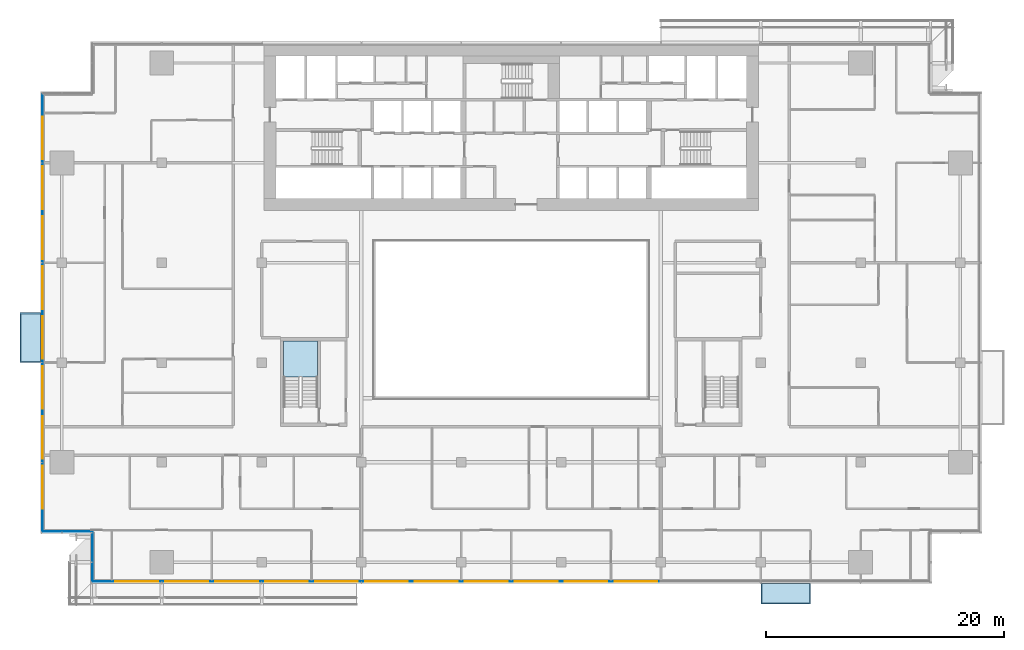
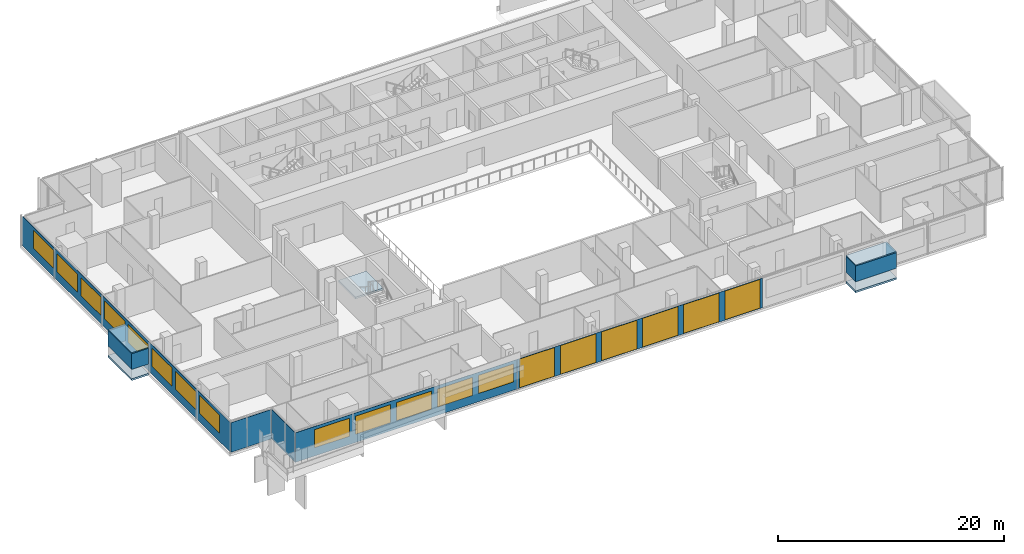
# One storey, part 14 of 29: 19 windows, 9 plates, 3 slabs, 19 openings, 5 elements without a shape of their own.
"""IFC4 building model written with IfcOpenShell, lengths in metres."""

import ifcopenshell
import ifcopenshell.guid

model = None  # the IFC model being written
_history = None  # IfcOwnerHistory: only IFC2X3 demands one
_inside = {}  # id of a spatial element -> (the spatial element, [elements in it])
_under = {}  # id of a project, library or spatial element -> (it, [spatial elements below it])
_declared = {}  # id of a project -> (the project, [libraries it declares])
_typed = {}  # id of a type object -> (the type object, [elements of that type])
_made_of = {}  # id of a material, layer set ... -> (it, [elements and type objects made of it])


def new_model(schema):
    """Start an empty IFC model of exactly this schema.

    Asked for "IFC4X3", IfcOpenShell would pick the latest addendum, in which some entities
    have other attributes; the version numbers below select the first issue.
    IFC2X3 requires an IfcOwnerHistory on every rooted entity: one is made here for all.
    """
    global model, _history
    if schema == "IFC4X3":
        model = ifcopenshell.file(schema_version=(4, 3, 0, 0))
    else:
        model = ifcopenshell.file(schema=schema)
    _inside.clear()
    _under.clear()
    _declared.clear()
    _typed.clear()
    _made_of.clear()
    _history = None
    if model.schema == "IFC2X3":
        org = make("IfcOrganization", Name="unknown")
        user = make(
            "IfcPersonAndOrganization",
            ThePerson=make("IfcPerson", FamilyName="unknown"),
            TheOrganization=org,
        )
        app = make(
            "IfcApplication",
            ApplicationDeveloper=org,
            Version="unknown",
            ApplicationFullName="unknown",
            ApplicationIdentifier="unknown",
        )
        _history = make(
            "IfcOwnerHistory",
            OwningUser=user,
            OwningApplication=app,
            ChangeAction="ADDED",
            CreationDate=0,
        )
    return model


def make(cls, **values):
    """One entity of the class cls with the attributes given. An attribute that is None is left unset."""
    return model.create_entity(
        cls, **{name: value for name, value in values.items() if value is not None}
    )


def rooted(cls, **values):
    """An entity with a GlobalId (a new one), such as an element, a storey or a relation."""
    return make(cls, GlobalId=ifcopenshell.guid.new(), OwnerHistory=_history, **values)


def si_unit(unit_type, name, prefix=None):
    """IfcSIUnit, for example si_unit("LENGTHUNIT", "METRE", prefix="MILLI")."""
    return make("IfcSIUnit", UnitType=unit_type, Prefix=prefix, Name=name)


def assignment(units):
    """IfcUnitAssignment: the units of a project."""
    return None if units is None else make("IfcUnitAssignment", Units=units)


def point(xyz):
    """IfcCartesianPoint."""
    return None if xyz is None else make("IfcCartesianPoint", Coordinates=xyz)


def direction(xyz):
    """IfcDirection."""
    return None if xyz is None else make("IfcDirection", DirectionRatios=xyz)


def frame(location, z_axis=None, x_axis=None):
    """IfcAxis2Placement3D, a coordinate frame: its origin and axes. An axis left out is left unset."""
    return make(
        "IfcAxis2Placement3D",
        Location=point(location),
        Axis=direction(z_axis),
        RefDirection=direction(x_axis),
    )


def frame_2d(location, x_axis=None):
    """IfcAxis2Placement2D, a coordinate frame in the plane: its origin and x axis."""
    return make(
        "IfcAxis2Placement2D", Location=point(location), RefDirection=direction(x_axis)
    )


def origin():
    """The frame at (0, 0, 0) with its axes left unset."""
    return frame((0.0, 0.0, 0.0))


def place(relative_to, where):
    """IfcLocalPlacement: puts the frame where relative to a parent placement (None: the world)."""
    return make(
        "IfcLocalPlacement", PlacementRelTo=relative_to, RelativePlacement=where
    )


def context(
    kind, dimensions, precision=None, world=None, true_north=None, identifier=None
):
    """IfcGeometricRepresentationContext, for example the 3D "Model" context."""
    return make(
        "IfcGeometricRepresentationContext",
        ContextIdentifier=identifier,
        ContextType=kind,
        CoordinateSpaceDimension=dimensions,
        Precision=precision,
        WorldCoordinateSystem=world,
        TrueNorth=true_north,
    )


def subcontext(parent, identifier, kind, view, scale=None):
    """IfcGeometricRepresentationSubContext, for example "Body" below "Model"."""
    return make(
        "IfcGeometricRepresentationSubContext",
        ContextIdentifier=identifier,
        ContextType=kind,
        ParentContext=parent,
        TargetScale=scale,
        TargetView=view,
    )


def project(units=None, contexts=None):
    """IfcProject with its units and contexts."""
    return rooted(
        "IfcProject",
        Name="project",
        RepresentationContexts=contexts,
        UnitsInContext=assignment(units),
    )


def spatial(cls, under=None, at=None, **own):
    """A site, building, storey or space (cls), placed at a placement, below another one or the project."""
    s = rooted(cls, ObjectPlacement=at, **own)
    if under is not None:
        _under.setdefault(under.id(), (under, []))[1].append(s)
    return s


def polyline(points):
    """IfcPolyline through the points."""
    return make("IfcPolyline", Points=[point(p) for p in points])


def profile(cls, at=None, kind="AREA", **sizes):
    """A parametric profile (cls). Its sizes go by their IFC names, for example OverallWidth=200.0."""
    return make(cls, ProfileType=kind, Position=at, **sizes)


def rectangle(**sizes):
    """IfcRectangleProfileDef."""
    return profile("IfcRectangleProfileDef", **sizes)


def outline(outer, holes=None, kind="AREA"):
    """IfcArbitraryClosedProfileDef: a profile drawn as a closed curve; with holes, ...WithVoids."""
    if holes is None:
        return make("IfcArbitraryClosedProfileDef", ProfileType=kind, OuterCurve=outer)
    return make(
        "IfcArbitraryProfileDefWithVoids",
        ProfileType=kind,
        OuterCurve=outer,
        InnerCurves=holes,
    )


def extrude(swept, where, along, depth):
    """IfcExtrudedAreaSolid: the profile swept, set in the frame where, extruded along a direction by depth."""
    return make(
        "IfcExtrudedAreaSolid",
        SweptArea=swept,
        Position=where,
        ExtrudedDirection=direction(along),
        Depth=depth,
    )


def shape(context_of_items, identifier, shape_type, items):
    """IfcShapeRepresentation: the items that make up one representation, for example the "Body"."""
    return make(
        "IfcShapeRepresentation",
        ContextOfItems=context_of_items,
        RepresentationIdentifier=identifier,
        RepresentationType=shape_type,
        Items=items,
    )


def material(Name=None, Category=None):
    """IfcMaterial."""
    return make("IfcMaterial", Name=Name, Category=Category)


def layer(
    of_material, thickness, ventilated=None, Name=None, Category=None, Priority=None
):
    """IfcMaterialLayer: one layer of a wall or slab, of a material (None: an air gap)."""
    return make(
        "IfcMaterialLayer",
        Material=of_material,
        LayerThickness=thickness,
        IsVentilated=ventilated,
        Name=Name,
        Category=Category,
        Priority=Priority,
    )


def layer_set(layers, Name=None):
    """IfcMaterialLayerSet."""
    return make("IfcMaterialLayerSet", MaterialLayers=layers, LayerSetName=Name)


def made_of(thing, what):
    """Note that an element or type object is made of a material, layer set ...; save() writes the relation."""
    if what is not None:
        _made_of.setdefault(what.id(), (what, []))[1].append(thing)
    return thing


def type_object(cls, material=None, **own):
    """A type object (cls), such as IfcWallType, which elements share."""
    return made_of(rooted(cls, **own), material)


def element(
    cls,
    number,
    at=None,
    inside=None,
    cuts=None,
    type_object=None,
    material=None,
    context=None,
    identifier="Body",
    shape_type=None,
    held_by="IfcProductDefinitionShape",
    body=None,
    shapes=None,
    **own,
):
    """One element of the class cls, such as IfcWall. Its Tag is "e" and its number.

    at: its placement. inside: the storey or other place that contains it. cuts: it is an
    opening in that element (IfcRelVoidsElement). A single representation is given by context,
    identifier, shape_type and body (its items); several are given by shapes. held_by: the class
    of the entity that holds the representations. save() writes the other relations.
    """
    e = rooted(cls, Tag="e%d" % number, ObjectPlacement=at, **own)
    if body is not None:
        shapes = [shape(context, identifier, shape_type, body)]
    if shapes is not None:
        e.Representation = make(held_by, Representations=shapes)
    if inside is not None:
        _inside.setdefault(inside.id(), (inside, []))[1].append(e)
    if cuts is not None:
        rooted(
            "IfcRelVoidsElement", RelatingBuildingElement=cuts, RelatedOpeningElement=e
        )
    if type_object is not None:
        _typed.setdefault(type_object.id(), (type_object, []))[1].append(e)
    return made_of(e, material)


def fill(opening, filler):
    """IfcRelFillsElement: the door or window that sits in an opening."""
    return rooted(
        "IfcRelFillsElement",
        RelatingOpeningElement=opening,
        RelatedBuildingElement=filler,
    )


def aggregate(whole, parts):
    """IfcRelAggregates: a whole, such as a stair, and the parts it consists of."""
    return rooted("IfcRelAggregates", RelatingObject=whole, RelatedObjects=parts)


def save(model, path):
    """Write the relations noted so far, then the file.

    IfcRelAggregates (storeys below a building ...), IfcRelContainedInSpatialStructure (elements
    in a storey), IfcRelDefinesByType, IfcRelAssociatesMaterial and IfcRelDeclares: one each for
    every whole, place, type object, material and project.
    """
    for whole, parts in _under.values():
        aggregate(whole, parts)
    for where, things in _inside.values():
        rooted(
            "IfcRelContainedInSpatialStructure",
            RelatedElements=things,
            RelatingStructure=where,
        )
    for kind, things in _typed.values():
        rooted("IfcRelDefinesByType", RelatedObjects=things, RelatingType=kind)
    for what, things in _made_of.values():
        rooted("IfcRelAssociatesMaterial", RelatedObjects=things, RelatingMaterial=what)
    for by, libraries in _declared.values():
        rooted("IfcRelDeclares", RelatingContext=by, RelatedDefinitions=libraries)
    model.write(path)


model = new_model("IFC4")

# Units and contexts
model_context = context("Model", 3, precision=1e-05, world=origin(), true_north=direction((0.0, 1.0)))
body_context = subcontext(model_context, "Body", "Model", "MODEL_VIEW")
ifc_project = project(units=[si_unit("LENGTHUNIT", "METRE"), si_unit("AREAUNIT", "SQUARE_METRE"), si_unit("VOLUMEUNIT", "CUBIC_METRE"), si_unit("PLANEANGLEUNIT", "RADIAN"), si_unit("MASSUNIT", "GRAM", prefix="KILO")], contexts=[model_context])

# Site, building, storey
site_placement = place(None, origin())
site = spatial("IfcSite", under=ifc_project, at=site_placement, CompositionType="ELEMENT")
building_placement = place(site_placement, origin())
building = spatial("IfcBuilding", under=site, at=building_placement, Name="Saffron Gate Tower", CompositionType="ELEMENT")
storey_placement = place(building_placement, frame((0.0, 0.0, 116.85009765625)))
storey = spatial("IfcBuildingStorey", under=building, at=storey_placement, Name="L27", CompositionType="ELEMENT", Elevation=116.85009765625)

# Curtain wall, plates, openings, windows
ifc_material_1 = material(Name="Aluminium, bronze anodised", Category="aluminium")
curtain_wall_type_1 = type_object("IfcCurtainWallType", Name="CWS1 curtain wall front facade", PredefinedType="NOTDEFINED", material=ifc_material_1)
curtain_wall_1_placement = place(storey_placement, origin())
curtain_wall_1 = element("IfcCurtainWall", 1, at=curtain_wall_1_placement, inside=storey, type_object=curtain_wall_type_1, Name="CWS1 run 1", PredefinedType="NOTDEFINED")
ifc_material_2 = material(Name="Clear low-iron laminated glass", Category="glass")
ifc_layer_1 = layer(ifc_material_2, 0.028076171875)
ifc_layer_set_1 = layer_set([ifc_layer_1], Name="CWS1 clear glass")
plate_type_1 = type_object("IfcPlateType", Name="CWS1 clear glass", PredefinedType="CURTAIN_PANEL", material=ifc_layer_set_1)
plate_1_placement = place(storey_placement, frame((75.030029296875, 30.174072265625, 0.0), z_axis=(0.0, 0.0, 1.0), x_axis=(1.0, 0.0, 0.0)))
plate_1 = element("IfcPlate", 2, at=plate_1_placement, type_object=plate_type_1, Name="CWS1 clear glass panel", PredefinedType="CURTAIN_PANEL", context=body_context, shape_type="SweptSolid", body=[
    extrude(rectangle(XDim=25.139892578125, YDim=0.028076171875, at=frame_2d((12.56982421875, 0.0))), origin(), (0.0, 0.0, 1.0), 3.199951171875),
])
opening_1_placement = place(plate_1_placement, frame((0.27001953125, 0.0, 0.050048828125)))
opening_1 = element("IfcOpeningElement", 3, at=opening_1_placement, cuts=plate_1, Name="Opening WA", PredefinedType="OPENING", context=body_context, shape_type="SweptSolid", body=[
    extrude(rectangle(XDim=3.60009765625, YDim=3.10009765625, at=frame_2d((1.800048828125, 1.550048828125))), frame((0.0, 0.02392578125, 0.0), z_axis=(0.0, -1.0, 0.0), x_axis=(1.0, 0.0, 0.0)), (0.0, 0.0, 1.0), 0.048095703125),
])
opening_2_placement = place(plate_1_placement, frame((4.469970703125, 0.0, 0.050048828125)))
opening_2 = element("IfcOpeningElement", 4, at=opening_2_placement, cuts=plate_1, Name="Opening WA", PredefinedType="OPENING", context=body_context, shape_type="SweptSolid", body=[
    extrude(rectangle(XDim=3.60009765625, YDim=3.10009765625, at=frame_2d((1.800048828125, 1.550048828125))), frame((0.0, 0.02392578125, 0.0), z_axis=(0.0, -1.0, 0.0), x_axis=(1.0, 0.0, 0.0)), (0.0, 0.0, 1.0), 0.048095703125),
])
opening_3_placement = place(plate_1_placement, frame((8.669921875, 0.0, 0.050048828125)))
opening_3 = element("IfcOpeningElement", 5, at=opening_3_placement, cuts=plate_1, Name="Opening WA", PredefinedType="OPENING", context=body_context, shape_type="SweptSolid", body=[
    extrude(rectangle(XDim=3.60009765625, YDim=3.10009765625, at=frame_2d((1.800048828125, 1.550048828125))), frame((0.0, 0.02392578125, 0.0), z_axis=(0.0, -1.0, 0.0), x_axis=(1.0, 0.0, 0.0)), (0.0, 0.0, 1.0), 0.048095703125),
])
opening_4_placement = place(plate_1_placement, frame((12.8701171875, 0.0, 0.050048828125)))
opening_4 = element("IfcOpeningElement", 6, at=opening_4_placement, cuts=plate_1, Name="Opening WA", PredefinedType="OPENING", context=body_context, shape_type="SweptSolid", body=[
    extrude(rectangle(XDim=3.60009765625, YDim=3.10009765625, at=frame_2d((1.800048828125, 1.550048828125))), frame((0.0, 0.02392578125, 0.0), z_axis=(0.0, -1.0, 0.0), x_axis=(1.0, 0.0, 0.0)), (0.0, 0.0, 1.0), 0.048095703125),
])
opening_5_placement = place(plate_1_placement, frame((17.070068359375, 0.0, 0.050048828125)))
opening_5 = element("IfcOpeningElement", 7, at=opening_5_placement, cuts=plate_1, Name="Opening WA", PredefinedType="OPENING", context=body_context, shape_type="SweptSolid", body=[
    extrude(rectangle(XDim=3.60009765625, YDim=3.10009765625, at=frame_2d((1.800048828125, 1.550048828125))), frame((0.0, 0.02392578125, 0.0), z_axis=(0.0, -1.0, 0.0), x_axis=(1.0, 0.0, 0.0)), (0.0, 0.0, 1.0), 0.048095703125),
])
opening_6_placement = place(plate_1_placement, frame((21.27001953125, 0.0, 0.050048828125)))
opening_6 = element("IfcOpeningElement", 8, at=opening_6_placement, cuts=plate_1, Name="Opening WA", PredefinedType="OPENING", context=body_context, shape_type="SweptSolid", body=[
    extrude(rectangle(XDim=3.60009765625, YDim=3.10009765625, at=frame_2d((1.800048828125, 1.550048828125))), frame((0.0, 0.02392578125, 0.0), z_axis=(0.0, -1.0, 0.0), x_axis=(1.0, 0.0, 0.0)), (0.0, 0.0, 1.0), 0.048095703125),
])
ifc_material_3 = material(Name="Clear low-iron laminated glass in bronze frame", Category="glass")
ifc_layer_2 = layer(ifc_material_3, 0.06005859375)
ifc_layer_set_2 = layer_set([ifc_layer_2], Name="WA operable atrium unit 3600x3100")
window_type_1 = type_object("IfcWindowType", Name="WA operable atrium unit 3600x3100", PartitioningType="DOUBLE_PANEL_HORIZONTAL", PredefinedType="WINDOW", material=ifc_layer_set_2)
window_1_placement = place(opening_1_placement, origin())
window_1 = element("IfcWindow", 9, at=window_1_placement, type_object=window_type_1, Name="WA operable atrium unit", OverallHeight=3.10009765625, OverallWidth=3.60009765625, PartitioningType="SINGLE_PANEL", PredefinedType="WINDOW", context=body_context, shape_type="SweptSolid", body=[
    extrude(rectangle(XDim=3.60009765625, YDim=3.10009765625, at=frame_2d((1.800048828125, 1.550048828125))), frame((0.0, 0.013671875, 0.0), z_axis=(0.0, -1.0, 0.0), x_axis=(1.0, 0.0, 0.0)), (0.0, 0.0, 1.0), 0.027587890625),
])
fill(opening_1, window_1)
window_2_placement = place(opening_2_placement, origin())
window_2 = element("IfcWindow", 10, at=window_2_placement, type_object=window_type_1, Name="WA operable atrium unit", OverallHeight=3.10009765625, OverallWidth=3.60009765625, PartitioningType="SINGLE_PANEL", PredefinedType="WINDOW", context=body_context, shape_type="SweptSolid", body=[
    extrude(rectangle(XDim=3.60009765625, YDim=3.10009765625, at=frame_2d((1.800048828125, 1.550048828125))), frame((0.0, 0.013671875, 0.0), z_axis=(0.0, -1.0, 0.0), x_axis=(1.0, 0.0, 0.0)), (0.0, 0.0, 1.0), 0.027587890625),
])
fill(opening_2, window_2)
window_3_placement = place(opening_3_placement, origin())
window_3 = element("IfcWindow", 11, at=window_3_placement, type_object=window_type_1, Name="WA operable atrium unit", OverallHeight=3.10009765625, OverallWidth=3.60009765625, PartitioningType="SINGLE_PANEL", PredefinedType="WINDOW", context=body_context, shape_type="SweptSolid", body=[
    extrude(rectangle(XDim=3.60009765625, YDim=3.10009765625, at=frame_2d((1.800048828125, 1.550048828125))), frame((0.0, 0.013671875, 0.0), z_axis=(0.0, -1.0, 0.0), x_axis=(1.0, 0.0, 0.0)), (0.0, 0.0, 1.0), 0.027587890625),
])
fill(opening_3, window_3)
window_4_placement = place(opening_4_placement, origin())
window_4 = element("IfcWindow", 12, at=window_4_placement, type_object=window_type_1, Name="WA operable atrium unit", OverallHeight=3.10009765625, OverallWidth=3.60009765625, PartitioningType="SINGLE_PANEL", PredefinedType="WINDOW", context=body_context, shape_type="SweptSolid", body=[
    extrude(rectangle(XDim=3.60009765625, YDim=3.10009765625, at=frame_2d((1.800048828125, 1.550048828125))), frame((0.0, 0.013671875, 0.0), z_axis=(0.0, -1.0, 0.0), x_axis=(1.0, 0.0, 0.0)), (0.0, 0.0, 1.0), 0.027587890625),
])
fill(opening_4, window_4)
window_5_placement = place(opening_5_placement, origin())
window_5 = element("IfcWindow", 13, at=window_5_placement, type_object=window_type_1, Name="WA operable atrium unit", OverallHeight=3.10009765625, OverallWidth=3.60009765625, PartitioningType="SINGLE_PANEL", PredefinedType="WINDOW", context=body_context, shape_type="SweptSolid", body=[
    extrude(rectangle(XDim=3.60009765625, YDim=3.10009765625, at=frame_2d((1.800048828125, 1.550048828125))), frame((0.0, 0.013671875, 0.0), z_axis=(0.0, -1.0, 0.0), x_axis=(1.0, 0.0, 0.0)), (0.0, 0.0, 1.0), 0.027587890625),
])
fill(opening_5, window_5)
window_6_placement = place(opening_6_placement, origin())
window_6 = element("IfcWindow", 14, at=window_6_placement, type_object=window_type_1, Name="WA operable atrium unit", OverallHeight=3.10009765625, OverallWidth=3.60009765625, PartitioningType="SINGLE_PANEL", PredefinedType="WINDOW", context=body_context, shape_type="SweptSolid", body=[
    extrude(rectangle(XDim=3.60009765625, YDim=3.10009765625, at=frame_2d((1.800048828125, 1.550048828125))), frame((0.0, 0.013671875, 0.0), z_axis=(0.0, -1.0, 0.0), x_axis=(1.0, 0.0, 0.0)), (0.0, 0.0, 1.0), 0.027587890625),
])
fill(opening_6, window_6)
ifc_material_4 = material(Name="Fritted bronze-tinted laminated glass", Category="glass")
ifc_layer_3 = layer(ifc_material_4, 0.028076171875)
ifc_layer_set_3 = layer_set([ifc_layer_3], Name="CWS1 fixed glass")
plate_type_2 = type_object("IfcPlateType", Name="CWS1 fixed glass", PredefinedType="CURTAIN_PANEL", material=ifc_layer_set_3)
plate_2_placement = place(storey_placement, frame((52.387939453125, 30.174072265625, 0.0), z_axis=(0.0, 0.0, 1.0), x_axis=(1.0, 0.0, 0.0)))
plate_2 = element("IfcPlate", 15, at=plate_2_placement, type_object=plate_type_2, Name="CWS1 glass panel", PredefinedType="CURTAIN_PANEL", context=body_context, shape_type="SweptSolid", body=[
    extrude(rectangle(XDim=22.64208984375, YDim=0.028076171875, at=frame_2d((11.321044921875, 0.0))), origin(), (0.0, 0.0, 1.0), 3.199951171875),
])
opening_7_placement = place(plate_2_placement, frame((1.912109375, 0.0, 0.89990234375)))
opening_7 = element("IfcOpeningElement", 16, at=opening_7_placement, cuts=plate_2, Name="Opening W1", PredefinedType="OPENING", context=body_context, shape_type="SweptSolid", body=[
    extrude(rectangle(XDim=3.60009765625, YDim=1.949951171875, at=frame_2d((1.800048828125, 0.97509765625))), frame((0.0, 0.02392578125, 0.0), z_axis=(0.0, -1.0, 0.0), x_axis=(1.0, 0.0, 0.0)), (0.0, 0.0, 1.0), 0.048095703125),
])
opening_8_placement = place(plate_2_placement, frame((6.112060546875, 0.0, 0.89990234375)))
opening_8 = element("IfcOpeningElement", 17, at=opening_8_placement, cuts=plate_2, Name="Opening W1", PredefinedType="OPENING", context=body_context, shape_type="SweptSolid", body=[
    extrude(rectangle(XDim=3.60009765625, YDim=1.949951171875, at=frame_2d((1.800048828125, 0.97509765625))), frame((0.0, 0.02392578125, 0.0), z_axis=(0.0, -1.0, 0.0), x_axis=(1.0, 0.0, 0.0)), (0.0, 0.0, 1.0), 0.048095703125),
])
opening_9_placement = place(plate_2_placement, frame((10.31201171875, 0.0, 0.89990234375)))
opening_9 = element("IfcOpeningElement", 18, at=opening_9_placement, cuts=plate_2, Name="Opening W1", PredefinedType="OPENING", context=body_context, shape_type="SweptSolid", body=[
    extrude(rectangle(XDim=3.60009765625, YDim=1.949951171875, at=frame_2d((1.800048828125, 0.97509765625))), frame((0.0, 0.02392578125, 0.0), z_axis=(0.0, -1.0, 0.0), x_axis=(1.0, 0.0, 0.0)), (0.0, 0.0, 1.0), 0.048095703125),
])
opening_10_placement = place(plate_2_placement, frame((14.511962890625, 0.0, 0.89990234375)))
opening_10 = element("IfcOpeningElement", 19, at=opening_10_placement, cuts=plate_2, Name="Opening W1", PredefinedType="OPENING", context=body_context, shape_type="SweptSolid", body=[
    extrude(rectangle(XDim=3.60009765625, YDim=1.949951171875, at=frame_2d((1.800048828125, 0.97509765625))), frame((0.0, 0.02392578125, 0.0), z_axis=(0.0, -1.0, 0.0), x_axis=(1.0, 0.0, 0.0)), (0.0, 0.0, 1.0), 0.048095703125),
])
opening_11_placement = place(plate_2_placement, frame((18.7119140625, 0.0, 0.89990234375)))
opening_11 = element("IfcOpeningElement", 20, at=opening_11_placement, cuts=plate_2, Name="Opening W1", PredefinedType="OPENING", context=body_context, shape_type="SweptSolid", body=[
    extrude(rectangle(XDim=3.60009765625, YDim=1.949951171875, at=frame_2d((1.800048828125, 0.97509765625))), frame((0.0, 0.02392578125, 0.0), z_axis=(0.0, -1.0, 0.0), x_axis=(1.0, 0.0, 0.0)), (0.0, 0.0, 1.0), 0.048095703125),
])
ifc_material_5 = material(Name="Fritted bronze-tinted laminated glass in bronze frame", Category="glass")
ifc_layer_4 = layer(ifc_material_5, 0.06005859375)
ifc_layer_set_4 = layer_set([ifc_layer_4], Name="W1 operable panel 3600x1950")
window_type_2 = type_object("IfcWindowType", Name="W1 operable panel 3600x1950", PartitioningType="DOUBLE_PANEL_HORIZONTAL", PredefinedType="WINDOW", material=ifc_layer_set_4)
window_7_placement = place(opening_7_placement, origin())
window_7 = element("IfcWindow", 21, at=window_7_placement, type_object=window_type_2, Name="W1 operable panel", OverallHeight=1.949951171875, OverallWidth=3.60009765625, PartitioningType="SINGLE_PANEL", PredefinedType="WINDOW", context=body_context, shape_type="SweptSolid", body=[
    extrude(rectangle(XDim=3.60009765625, YDim=1.949951171875, at=frame_2d((1.800048828125, 0.97509765625))), frame((0.0, 0.013671875, 0.0), z_axis=(0.0, -1.0, 0.0), x_axis=(1.0, 0.0, 0.0)), (0.0, 0.0, 1.0), 0.027587890625),
])
fill(opening_7, window_7)
window_8_placement = place(opening_8_placement, origin())
window_8 = element("IfcWindow", 22, at=window_8_placement, type_object=window_type_2, Name="W1 operable panel", OverallHeight=1.949951171875, OverallWidth=3.60009765625, PartitioningType="SINGLE_PANEL", PredefinedType="WINDOW", context=body_context, shape_type="SweptSolid", body=[
    extrude(rectangle(XDim=3.60009765625, YDim=1.949951171875, at=frame_2d((1.800048828125, 0.97509765625))), frame((0.0, 0.013671875, 0.0), z_axis=(0.0, -1.0, 0.0), x_axis=(1.0, 0.0, 0.0)), (0.0, 0.0, 1.0), 0.027587890625),
])
fill(opening_8, window_8)
window_9_placement = place(opening_9_placement, origin())
window_9 = element("IfcWindow", 23, at=window_9_placement, type_object=window_type_2, Name="W1 operable panel", OverallHeight=1.949951171875, OverallWidth=3.60009765625, PartitioningType="SINGLE_PANEL", PredefinedType="WINDOW", context=body_context, shape_type="SweptSolid", body=[
    extrude(rectangle(XDim=3.60009765625, YDim=1.949951171875, at=frame_2d((1.800048828125, 0.97509765625))), frame((0.0, 0.013671875, 0.0), z_axis=(0.0, -1.0, 0.0), x_axis=(1.0, 0.0, 0.0)), (0.0, 0.0, 1.0), 0.027587890625),
])
fill(opening_9, window_9)
window_10_placement = place(opening_10_placement, origin())
window_10 = element("IfcWindow", 24, at=window_10_placement, type_object=window_type_2, Name="W1 operable panel", OverallHeight=1.949951171875, OverallWidth=3.60009765625, PartitioningType="SINGLE_PANEL", PredefinedType="WINDOW", context=body_context, shape_type="SweptSolid", body=[
    extrude(rectangle(XDim=3.60009765625, YDim=1.949951171875, at=frame_2d((1.800048828125, 0.97509765625))), frame((0.0, 0.013671875, 0.0), z_axis=(0.0, -1.0, 0.0), x_axis=(1.0, 0.0, 0.0)), (0.0, 0.0, 1.0), 0.027587890625),
])
fill(opening_10, window_10)
window_11_placement = place(opening_11_placement, origin())
window_11 = element("IfcWindow", 25, at=window_11_placement, type_object=window_type_2, Name="W1 operable panel", OverallHeight=1.949951171875, OverallWidth=3.60009765625, PartitioningType="SINGLE_PANEL", PredefinedType="WINDOW", context=body_context, shape_type="SweptSolid", body=[
    extrude(rectangle(XDim=3.60009765625, YDim=1.949951171875, at=frame_2d((1.800048828125, 0.97509765625))), frame((0.0, 0.013671875, 0.0), z_axis=(0.0, -1.0, 0.0), x_axis=(1.0, 0.0, 0.0)), (0.0, 0.0, 1.0), 0.027587890625),
])
fill(opening_11, window_11)
aggregate(curtain_wall_1, [plate_2, plate_1, window_7, window_8, window_9, window_10, window_11, window_1, window_2, window_3, window_4, window_5, window_6])

# Curtain wall, plate, openings, windows
curtain_wall_type_2 = type_object("IfcCurtainWallType", Name="CWS2 curtain wall side facades", PredefinedType="NOTDEFINED", material=ifc_material_1)
curtain_wall_2_placement = place(storey_placement, origin())
curtain_wall_2 = element("IfcCurtainWall", 26, at=curtain_wall_2_placement, inside=storey, type_object=curtain_wall_type_2, Name="CWS2 run 10", PredefinedType="NOTDEFINED")
ifc_layer_5 = layer(ifc_material_4, 0.028076171875)
ifc_layer_set_5 = layer_set([ifc_layer_5], Name="CWS2 fixed glass")
plate_type_3 = type_object("IfcPlateType", Name="CWS2 fixed glass", PredefinedType="CURTAIN_PANEL", material=ifc_layer_set_5)
plate_3_placement = place(storey_placement, frame((48.174072265625, 71.2119140625, 0.0), z_axis=(0.0, 0.0, 1.0), x_axis=(0.0, -1.0, 0.0)))
plate_3 = element("IfcPlate", 27, at=plate_3_placement, type_object=plate_type_3, Name="CWS2 glass panel", PredefinedType="CURTAIN_PANEL", context=body_context, shape_type="SweptSolid", body=[
    extrude(rectangle(XDim=36.823974609375, YDim=0.028076171875, at=frame_2d((18.412109375, 0.0))), origin(), (0.0, 0.0, 1.0), 3.199951171875),
])
opening_12_placement = place(plate_3_placement, frame((1.912109375, 0.0, 0.89990234375)))
opening_12 = element("IfcOpeningElement", 28, at=opening_12_placement, cuts=plate_3, Name="Opening W1", PredefinedType="OPENING", context=body_context, shape_type="SweptSolid", body=[
    extrude(rectangle(XDim=3.60009765625, YDim=1.949951171875, at=frame_2d((1.800048828125, 0.97509765625))), frame((0.0, 0.02392578125, 0.0), z_axis=(0.0, -1.0, 0.0), x_axis=(1.0, 0.0, 0.0)), (0.0, 0.0, 1.0), 0.048095703125),
])
opening_13_placement = place(plate_3_placement, frame((6.112060546875, 0.0, 0.89990234375)))
opening_13 = element("IfcOpeningElement", 29, at=opening_13_placement, cuts=plate_3, Name="Opening W1", PredefinedType="OPENING", context=body_context, shape_type="SweptSolid", body=[
    extrude(rectangle(XDim=3.60009765625, YDim=1.949951171875, at=frame_2d((1.800048828125, 0.97509765625))), frame((0.0, 0.02392578125, 0.0), z_axis=(0.0, -1.0, 0.0), x_axis=(1.0, 0.0, 0.0)), (0.0, 0.0, 1.0), 0.048095703125),
])
opening_14_placement = place(plate_3_placement, frame((10.31201171875, 0.0, 0.89990234375)))
opening_14 = element("IfcOpeningElement", 30, at=opening_14_placement, cuts=plate_3, Name="Opening W1", PredefinedType="OPENING", context=body_context, shape_type="SweptSolid", body=[
    extrude(rectangle(XDim=3.60009765625, YDim=1.949951171875, at=frame_2d((1.800048828125, 0.97509765625))), frame((0.0, 0.02392578125, 0.0), z_axis=(0.0, -1.0, 0.0), x_axis=(1.0, 0.0, 0.0)), (0.0, 0.0, 1.0), 0.048095703125),
])
opening_15_placement = place(plate_3_placement, frame((14.511962890625, 0.0, 0.89990234375)))
opening_15 = element("IfcOpeningElement", 31, at=opening_15_placement, cuts=plate_3, Name="Opening W1", PredefinedType="OPENING", context=body_context, shape_type="SweptSolid", body=[
    extrude(rectangle(XDim=3.60009765625, YDim=1.949951171875, at=frame_2d((1.800048828125, 0.97509765625))), frame((0.0, 0.02392578125, 0.0), z_axis=(0.0, -1.0, 0.0), x_axis=(1.0, 0.0, 0.0)), (0.0, 0.0, 1.0), 0.048095703125),
])
opening_16_placement = place(plate_3_placement, frame((18.7119140625, 0.0, 0.89990234375)))
opening_16 = element("IfcOpeningElement", 32, at=opening_16_placement, cuts=plate_3, Name="Opening W1", PredefinedType="OPENING", context=body_context, shape_type="SweptSolid", body=[
    extrude(rectangle(XDim=3.60009765625, YDim=1.949951171875, at=frame_2d((1.800048828125, 0.97509765625))), frame((0.0, 0.02392578125, 0.0), z_axis=(0.0, -1.0, 0.0), x_axis=(1.0, 0.0, 0.0)), (0.0, 0.0, 1.0), 0.048095703125),
])
opening_17_placement = place(plate_3_placement, frame((22.912109375, 0.0, 0.89990234375)))
opening_17 = element("IfcOpeningElement", 33, at=opening_17_placement, cuts=plate_3, Name="Opening W1", PredefinedType="OPENING", context=body_context, shape_type="SweptSolid", body=[
    extrude(rectangle(XDim=3.60009765625, YDim=1.949951171875, at=frame_2d((1.800048828125, 0.97509765625))), frame((0.0, 0.02392578125, 0.0), z_axis=(0.0, -1.0, 0.0), x_axis=(1.0, 0.0, 0.0)), (0.0, 0.0, 1.0), 0.048095703125),
])
opening_18_placement = place(plate_3_placement, frame((27.112060546875, 0.0, 0.89990234375)))
opening_18 = element("IfcOpeningElement", 34, at=opening_18_placement, cuts=plate_3, Name="Opening W1", PredefinedType="OPENING", context=body_context, shape_type="SweptSolid", body=[
    extrude(rectangle(XDim=3.60009765625, YDim=1.949951171875, at=frame_2d((1.800048828125, 0.97509765625))), frame((0.0, 0.02392578125, 0.0), z_axis=(0.0, -1.0, 0.0), x_axis=(1.0, 0.0, 0.0)), (0.0, 0.0, 1.0), 0.048095703125),
])
opening_19_placement = place(plate_3_placement, frame((31.31201171875, 0.0, 0.89990234375)))
opening_19 = element("IfcOpeningElement", 35, at=opening_19_placement, cuts=plate_3, Name="Opening W1", PredefinedType="OPENING", context=body_context, shape_type="SweptSolid", body=[
    extrude(rectangle(XDim=3.60009765625, YDim=1.949951171875, at=frame_2d((1.800048828125, 0.97509765625))), frame((0.0, 0.02392578125, 0.0), z_axis=(0.0, -1.0, 0.0), x_axis=(1.0, 0.0, 0.0)), (0.0, 0.0, 1.0), 0.048095703125),
])
window_12_placement = place(opening_12_placement, origin())
window_12 = element("IfcWindow", 36, at=window_12_placement, type_object=window_type_2, Name="W1 operable panel", OverallHeight=1.949951171875, OverallWidth=3.60009765625, PartitioningType="SINGLE_PANEL", PredefinedType="WINDOW", context=body_context, shape_type="SweptSolid", body=[
    extrude(rectangle(XDim=3.60009765625, YDim=1.949951171875, at=frame_2d((1.800048828125, 0.97509765625))), frame((0.0, 0.013671875, 0.0), z_axis=(0.0, -1.0, 0.0), x_axis=(1.0, 0.0, 0.0)), (0.0, 0.0, 1.0), 0.027587890625),
])
fill(opening_12, window_12)
window_13_placement = place(opening_13_placement, origin())
window_13 = element("IfcWindow", 37, at=window_13_placement, type_object=window_type_2, Name="W1 operable panel", OverallHeight=1.949951171875, OverallWidth=3.60009765625, PartitioningType="SINGLE_PANEL", PredefinedType="WINDOW", context=body_context, shape_type="SweptSolid", body=[
    extrude(rectangle(XDim=3.60009765625, YDim=1.949951171875, at=frame_2d((1.800048828125, 0.97509765625))), frame((0.0, 0.013671875, 0.0), z_axis=(0.0, -1.0, 0.0), x_axis=(1.0, 0.0, 0.0)), (0.0, 0.0, 1.0), 0.027587890625),
])
fill(opening_13, window_13)
window_14_placement = place(opening_14_placement, origin())
window_14 = element("IfcWindow", 38, at=window_14_placement, type_object=window_type_2, Name="W1 operable panel", OverallHeight=1.949951171875, OverallWidth=3.60009765625, PartitioningType="SINGLE_PANEL", PredefinedType="WINDOW", context=body_context, shape_type="SweptSolid", body=[
    extrude(rectangle(XDim=3.60009765625, YDim=1.949951171875, at=frame_2d((1.800048828125, 0.97509765625))), frame((0.0, 0.013671875, 0.0), z_axis=(0.0, -1.0, 0.0), x_axis=(1.0, 0.0, 0.0)), (0.0, 0.0, 1.0), 0.027587890625),
])
fill(opening_14, window_14)
window_15_placement = place(opening_15_placement, origin())
window_15 = element("IfcWindow", 39, at=window_15_placement, type_object=window_type_2, Name="W1 operable panel", OverallHeight=1.949951171875, OverallWidth=3.60009765625, PartitioningType="SINGLE_PANEL", PredefinedType="WINDOW", context=body_context, shape_type="SweptSolid", body=[
    extrude(rectangle(XDim=3.60009765625, YDim=1.949951171875, at=frame_2d((1.800048828125, 0.97509765625))), frame((0.0, 0.013671875, 0.0), z_axis=(0.0, -1.0, 0.0), x_axis=(1.0, 0.0, 0.0)), (0.0, 0.0, 1.0), 0.027587890625),
])
fill(opening_15, window_15)
window_16_placement = place(opening_16_placement, origin())
window_16 = element("IfcWindow", 40, at=window_16_placement, type_object=window_type_2, Name="W1 operable panel", OverallHeight=1.949951171875, OverallWidth=3.60009765625, PartitioningType="SINGLE_PANEL", PredefinedType="WINDOW", context=body_context, shape_type="SweptSolid", body=[
    extrude(rectangle(XDim=3.60009765625, YDim=1.949951171875, at=frame_2d((1.800048828125, 0.97509765625))), frame((0.0, 0.013671875, 0.0), z_axis=(0.0, -1.0, 0.0), x_axis=(1.0, 0.0, 0.0)), (0.0, 0.0, 1.0), 0.027587890625),
])
fill(opening_16, window_16)
window_17_placement = place(opening_17_placement, origin())
window_17 = element("IfcWindow", 41, at=window_17_placement, type_object=window_type_2, Name="W1 operable panel", OverallHeight=1.949951171875, OverallWidth=3.60009765625, PartitioningType="SINGLE_PANEL", PredefinedType="WINDOW", context=body_context, shape_type="SweptSolid", body=[
    extrude(rectangle(XDim=3.60009765625, YDim=1.949951171875, at=frame_2d((1.800048828125, 0.97509765625))), frame((0.0, 0.013671875, 0.0), z_axis=(0.0, -1.0, 0.0), x_axis=(1.0, 0.0, 0.0)), (0.0, 0.0, 1.0), 0.027587890625),
])
fill(opening_17, window_17)
window_18_placement = place(opening_18_placement, origin())
window_18 = element("IfcWindow", 42, at=window_18_placement, type_object=window_type_2, Name="W1 operable panel", OverallHeight=1.949951171875, OverallWidth=3.60009765625, PartitioningType="SINGLE_PANEL", PredefinedType="WINDOW", context=body_context, shape_type="SweptSolid", body=[
    extrude(rectangle(XDim=3.60009765625, YDim=1.949951171875, at=frame_2d((1.800048828125, 0.97509765625))), frame((0.0, 0.013671875, 0.0), z_axis=(0.0, -1.0, 0.0), x_axis=(1.0, 0.0, 0.0)), (0.0, 0.0, 1.0), 0.027587890625),
])
fill(opening_18, window_18)
window_19_placement = place(opening_19_placement, origin())
window_19 = element("IfcWindow", 43, at=window_19_placement, type_object=window_type_2, Name="W1 operable panel", OverallHeight=1.949951171875, OverallWidth=3.60009765625, PartitioningType="SINGLE_PANEL", PredefinedType="WINDOW", context=body_context, shape_type="SweptSolid", body=[
    extrude(rectangle(XDim=3.60009765625, YDim=1.949951171875, at=frame_2d((1.800048828125, 0.97509765625))), frame((0.0, 0.013671875, 0.0), z_axis=(0.0, -1.0, 0.0), x_axis=(1.0, 0.0, 0.0)), (0.0, 0.0, 1.0), 0.027587890625),
])
fill(opening_19, window_19)
aggregate(curtain_wall_2, [plate_3, window_12, window_13, window_14, window_15, window_16, window_17, window_18, window_19])

# Curtain wall, plate
curtain_wall_type_3 = type_object("IfcCurtainWallType", Name="CWS4 curtain wall corner returns", PredefinedType="NOTDEFINED", material=ifc_material_1)
curtain_wall_3_placement = place(storey_placement, origin())
curtain_wall_3 = element("IfcCurtainWall", 44, at=curtain_wall_3_placement, inside=storey, type_object=curtain_wall_type_3, Name="CWS4 run 11", PredefinedType="NOTDEFINED")
ifc_layer_6 = layer(ifc_material_4, 0.028076171875)
ifc_layer_set_6 = layer_set([ifc_layer_6], Name="CWS4 fixed glass")
plate_type_4 = type_object("IfcPlateType", Name="CWS4 fixed glass", PredefinedType="CURTAIN_PANEL", material=ifc_layer_set_6)
plate_4_placement = place(storey_placement, frame((48.18798828125, 34.3740234375, 0.0), z_axis=(0.0, 0.0, 1.0), x_axis=(1.0, 0.0, 0.0)))
plate_4 = element("IfcPlate", 45, at=plate_4_placement, type_object=plate_type_4, Name="CWS4 glass panel", PredefinedType="CURTAIN_PANEL", context=body_context, shape_type="SweptSolid", body=[
    extrude(rectangle(XDim=4.172119140625, YDim=0.028076171875, at=frame_2d((2.0859375, 0.0))), origin(), (0.0, 0.0, 1.0), 3.199951171875),
])
aggregate(curtain_wall_3, [plate_4])

curtain_wall_4_placement = place(storey_placement, origin())
curtain_wall_4 = element("IfcCurtainWall", 46, at=curtain_wall_4_placement, inside=storey, type_object=curtain_wall_type_3, Name="CWS4 run 12", PredefinedType="NOTDEFINED")
plate_5_placement = place(storey_placement, frame((52.3740234375, 34.360107421875, 0.0), z_axis=(0.0, 0.0, 1.0), x_axis=(0.0, -1.0, 0.0)))
plate_5 = element("IfcPlate", 47, at=plate_5_placement, type_object=plate_type_4, Name="CWS4 glass panel", PredefinedType="CURTAIN_PANEL", context=body_context, shape_type="SweptSolid", body=[
    extrude(rectangle(XDim=4.172119140625, YDim=0.028076171875, at=frame_2d((2.0859375, 0.0))), origin(), (0.0, 0.0, 1.0), 3.199951171875),
])
aggregate(curtain_wall_4, [plate_5])

# Stair, slab
ifc_material_6 = material(Name="Concrete C40", Category="concrete")
stair_type = type_object("IfcStairType", Name="ST7 Stair 1350 wide, 20 risers of 180", PredefinedType="HALF_TURN_STAIR", material=ifc_material_6)
stair_placement = place(storey_placement, origin())
stair = element("IfcStair", 48, at=stair_placement, inside=storey, type_object=stair_type, Name="L27 Exit stair D", PredefinedType="HALF_TURN_STAIR")
ifc_layer_7 = layer(ifc_material_6, 0.199951171875)
ifc_layer_set_7 = layer_set([ifc_layer_7], Name="SL1 Stair landing 200")
slab_type_1 = type_object("IfcSlabType", Name="SL1 Stair landing 200", PredefinedType="LANDING", material=ifc_layer_set_7)
slab_1_placement = place(storey_placement, frame((0.0, 0.0, 1.599853515625)))
slab_1 = element("IfcSlab", 49, at=slab_1_placement, type_object=slab_type_1, Name="ST-D landing 1", PredefinedType="LANDING", context=body_context, shape_type="SweptSolid", body=[
    extrude(outline(polyline([(71.300048828125, 47.3701171875), (71.300048828125, 50.39990234375), (68.449951171875, 50.39990234375), (68.449951171875, 47.3701171875), (71.300048828125, 47.3701171875)])), origin(), (0.0, 0.0, 1.0), 0.199951171875),
])
aggregate(stair, [slab_1])

# Slabs
ifc_material_7 = material(Name="Timber deck on bronze frame", Category="wood")
ifc_layer_8 = layer(ifc_material_7, 0.199951171875)
ifc_layer_set_8 = layer_set([ifc_layer_8], Name="WB1 box floor")
slab_type_2 = type_object("IfcSlabType", Name="WB1 box floor", PredefinedType="FLOOR", material=ifc_layer_set_8)
slab_2_placement = place(storey_placement, frame((0.0, 0.0, -0.2001953125)))
element("IfcSlab", 50, at=slab_2_placement, inside=storey, type_object=slab_type_2, Name="WINDOW BOX floor", PredefinedType="FLOOR", context=body_context, shape_type="SweptSolid", body=[
    extrude(outline(polyline([(108.60009765625, 30.0), (112.800048828125, 30.0), (112.800048828125, 28.26708984375), (108.60009765625, 28.26708984375), (108.60009765625, 30.0)])), origin(), (0.0, 0.0, 1.0), 0.2001953125),
])
slab_3_placement = place(storey_placement, frame((0.0, 0.0, -0.2001953125)))
element("IfcSlab", 51, at=slab_3_placement, inside=storey, type_object=slab_type_2, Name="WINDOW BOX floor", PredefinedType="FLOOR", context=body_context, shape_type="SweptSolid", body=[
    extrude(outline(polyline([(48.0, 52.800048828125), (48.0, 48.60009765625), (46.26708984375, 48.60009765625), (46.26708984375, 52.800048828125), (48.0, 52.800048828125)])), origin(), (0.0, 0.0, 1.0), 0.2001953125),
])

# Plates
ifc_layer_9 = layer(ifc_material_1, 0.1201171875)
ifc_layer_set_9 = layer_set([ifc_layer_9], Name="WB2 box roof")
plate_type_5 = type_object("IfcPlateType", Name="WB2 box roof", PredefinedType="SHEET", material=ifc_layer_set_9)
plate_6_placement = place(storey_placement, frame((0.0, 0.0, 2.699951171875)))
element("IfcPlate", 52, at=plate_6_placement, inside=storey, type_object=plate_type_5, Name="WINDOW BOX roof", PredefinedType="SHEET", context=body_context, shape_type="SweptSolid", body=[
    extrude(outline(polyline([(108.60009765625, 30.0), (112.800048828125, 30.0), (112.800048828125, 28.26708984375), (108.60009765625, 28.26708984375), (108.60009765625, 30.0)])), origin(), (0.0, 0.0, 1.0), 0.119873046875),
])
plate_7_placement = place(storey_placement, frame((0.0, 0.0, 2.699951171875)))
element("IfcPlate", 53, at=plate_7_placement, inside=storey, type_object=plate_type_5, Name="WINDOW BOX roof", PredefinedType="SHEET", context=body_context, shape_type="SweptSolid", body=[
    extrude(outline(polyline([(48.0, 52.800048828125), (48.0, 48.60009765625), (46.26708984375, 48.60009765625), (46.26708984375, 52.800048828125), (48.0, 52.800048828125)])), origin(), (0.0, 0.0, 1.0), 0.119873046875),
])
ifc_layer_10 = layer(ifc_material_2, 0.10009765625)
ifc_layer_set_10 = layer_set([ifc_layer_10], Name="WB6 box glazing")
plate_type_6 = type_object("IfcPlateType", Name="WB6 box glazing", PredefinedType="SHEET", material=ifc_layer_set_10)
plate_8_placement = place(storey_placement, frame((0.0, 0.0, 1.0)))
element("IfcPlate", 54, at=plate_8_placement, inside=storey, type_object=plate_type_6, Name="WINDOW BOX glazing", PredefinedType="SHEET", context=body_context, shape_type="SweptSolid", body=[
    extrude(outline(polyline([(108.60009765625, 30.0), (108.699951171875, 30.0), (108.699951171875, 28.366943359375), (112.699951171875, 28.366943359375), (112.699951171875, 30.0), (112.800048828125, 30.0), (112.800048828125, 28.26708984375), (108.60009765625, 28.26708984375), (108.60009765625, 30.0)])), origin(), (0.0, 0.0, 1.0), 1.699951171875),
])
plate_9_placement = place(storey_placement, frame((0.0, 0.0, 1.0)))
element("IfcPlate", 55, at=plate_9_placement, inside=storey, type_object=plate_type_6, Name="WINDOW BOX glazing", PredefinedType="SHEET", context=body_context, shape_type="SweptSolid", body=[
    extrude(outline(polyline([(48.0, 52.800048828125), (48.0, 52.699951171875), (46.366943359375, 52.699951171875), (46.366943359375, 48.699951171875), (48.0, 48.699951171875), (48.0, 48.60009765625), (46.26708984375, 48.60009765625), (46.26708984375, 52.800048828125), (48.0, 52.800048828125)])), origin(), (0.0, 0.0, 1.0), 1.699951171875),
])

save(model, "model.ifc")
